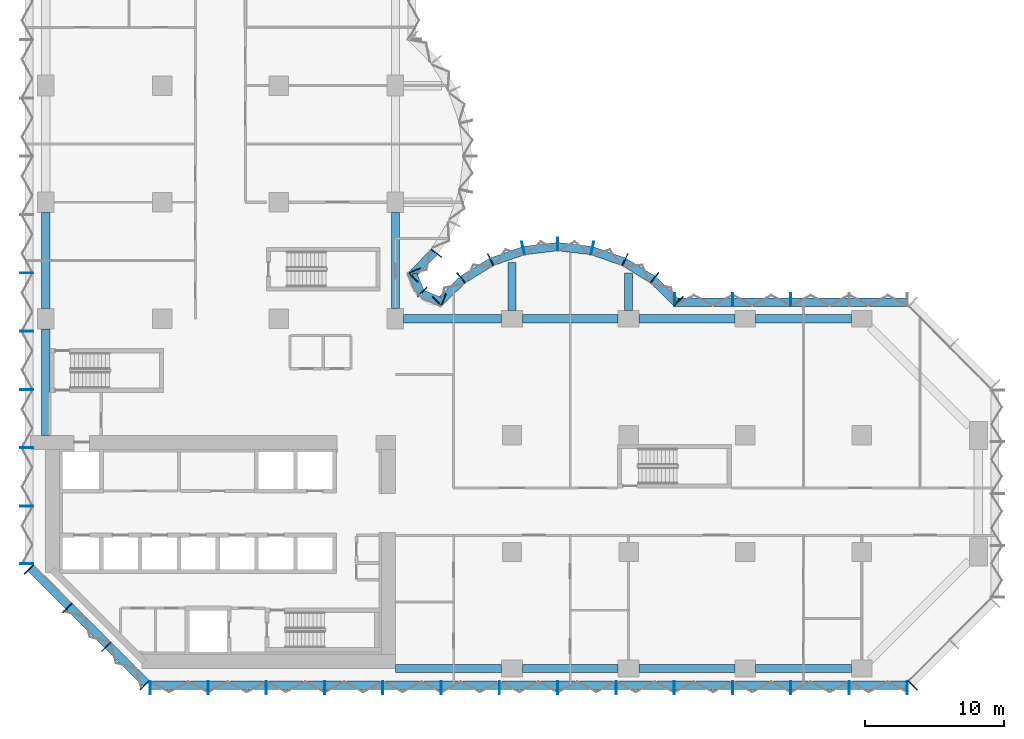
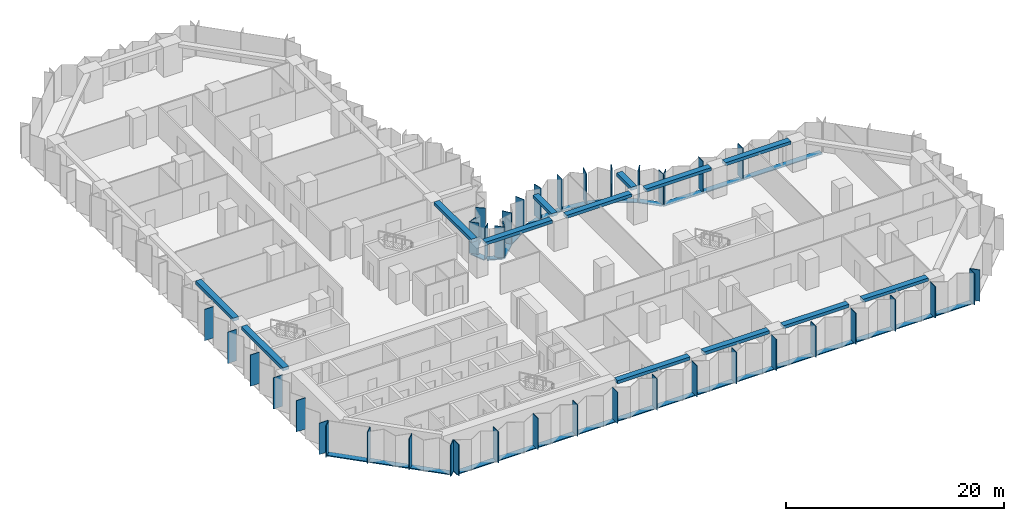
# One storey, part 2 of 15: 56 members, 13 beams, 8 elements without a shape of their own.
"""IFC4 building model written with IfcOpenShell, lengths in metres."""

import ifcopenshell
import ifcopenshell.guid

model = None  # the IFC model being written
_history = None  # IfcOwnerHistory: only IFC2X3 demands one
_inside = {}  # id of a spatial element -> (the spatial element, [elements in it])
_under = {}  # id of a project, library or spatial element -> (it, [spatial elements below it])
_declared = {}  # id of a project -> (the project, [libraries it declares])
_typed = {}  # id of a type object -> (the type object, [elements of that type])
_made_of = {}  # id of a material, layer set ... -> (it, [elements and type objects made of it])


def new_model(schema):
    """Start an empty IFC model of exactly this schema.

    Asked for "IFC4X3", IfcOpenShell would pick the latest addendum, in which some entities
    have other attributes; the version numbers below select the first issue.
    IFC2X3 requires an IfcOwnerHistory on every rooted entity: one is made here for all.
    """
    global model, _history
    if schema == "IFC4X3":
        model = ifcopenshell.file(schema_version=(4, 3, 0, 0))
    else:
        model = ifcopenshell.file(schema=schema)
    _inside.clear()
    _under.clear()
    _declared.clear()
    _typed.clear()
    _made_of.clear()
    _history = None
    if model.schema == "IFC2X3":
        org = make("IfcOrganization", Name="unknown")
        user = make(
            "IfcPersonAndOrganization",
            ThePerson=make("IfcPerson", FamilyName="unknown"),
            TheOrganization=org,
        )
        app = make(
            "IfcApplication",
            ApplicationDeveloper=org,
            Version="unknown",
            ApplicationFullName="unknown",
            ApplicationIdentifier="unknown",
        )
        _history = make(
            "IfcOwnerHistory",
            OwningUser=user,
            OwningApplication=app,
            ChangeAction="ADDED",
            CreationDate=0,
        )
    return model


def make(cls, **values):
    """One entity of the class cls with the attributes given. An attribute that is None is left unset."""
    return model.create_entity(
        cls, **{name: value for name, value in values.items() if value is not None}
    )


def rooted(cls, **values):
    """An entity with a GlobalId (a new one), such as an element, a storey or a relation."""
    return make(cls, GlobalId=ifcopenshell.guid.new(), OwnerHistory=_history, **values)


def si_unit(unit_type, name, prefix=None):
    """IfcSIUnit, for example si_unit("LENGTHUNIT", "METRE", prefix="MILLI")."""
    return make("IfcSIUnit", UnitType=unit_type, Prefix=prefix, Name=name)


def assignment(units):
    """IfcUnitAssignment: the units of a project."""
    return None if units is None else make("IfcUnitAssignment", Units=units)


def point(xyz):
    """IfcCartesianPoint."""
    return None if xyz is None else make("IfcCartesianPoint", Coordinates=xyz)


def direction(xyz):
    """IfcDirection."""
    return None if xyz is None else make("IfcDirection", DirectionRatios=xyz)


def frame(location, z_axis=None, x_axis=None):
    """IfcAxis2Placement3D, a coordinate frame: its origin and axes. An axis left out is left unset."""
    return make(
        "IfcAxis2Placement3D",
        Location=point(location),
        Axis=direction(z_axis),
        RefDirection=direction(x_axis),
    )


def frame_2d(location, x_axis=None):
    """IfcAxis2Placement2D, a coordinate frame in the plane: its origin and x axis."""
    return make(
        "IfcAxis2Placement2D", Location=point(location), RefDirection=direction(x_axis)
    )


def origin():
    """The frame at (0, 0, 0) with its axes left unset."""
    return frame((0.0, 0.0, 0.0))


def origin_2d():
    """The frame at (0, 0) in the plane with its x axis left unset."""
    return frame_2d((0.0, 0.0))


def place(relative_to, where):
    """IfcLocalPlacement: puts the frame where relative to a parent placement (None: the world)."""
    return make(
        "IfcLocalPlacement", PlacementRelTo=relative_to, RelativePlacement=where
    )


def context(
    kind, dimensions, precision=None, world=None, true_north=None, identifier=None
):
    """IfcGeometricRepresentationContext, for example the 3D "Model" context."""
    return make(
        "IfcGeometricRepresentationContext",
        ContextIdentifier=identifier,
        ContextType=kind,
        CoordinateSpaceDimension=dimensions,
        Precision=precision,
        WorldCoordinateSystem=world,
        TrueNorth=true_north,
    )


def subcontext(parent, identifier, kind, view, scale=None):
    """IfcGeometricRepresentationSubContext, for example "Body" below "Model"."""
    return make(
        "IfcGeometricRepresentationSubContext",
        ContextIdentifier=identifier,
        ContextType=kind,
        ParentContext=parent,
        TargetScale=scale,
        TargetView=view,
    )


def project(units=None, contexts=None):
    """IfcProject with its units and contexts."""
    return rooted(
        "IfcProject",
        Name="project",
        RepresentationContexts=contexts,
        UnitsInContext=assignment(units),
    )


def spatial(cls, under=None, at=None, **own):
    """A site, building, storey or space (cls), placed at a placement, below another one or the project."""
    s = rooted(cls, ObjectPlacement=at, **own)
    if under is not None:
        _under.setdefault(under.id(), (under, []))[1].append(s)
    return s


def profile(cls, at=None, kind="AREA", **sizes):
    """A parametric profile (cls). Its sizes go by their IFC names, for example OverallWidth=200.0."""
    return make(cls, ProfileType=kind, Position=at, **sizes)


def rectangle(**sizes):
    """IfcRectangleProfileDef."""
    return profile("IfcRectangleProfileDef", **sizes)


def extrude(swept, where, along, depth):
    """IfcExtrudedAreaSolid: the profile swept, set in the frame where, extruded along a direction by depth."""
    return make(
        "IfcExtrudedAreaSolid",
        SweptArea=swept,
        Position=where,
        ExtrudedDirection=direction(along),
        Depth=depth,
    )


def shape(context_of_items, identifier, shape_type, items):
    """IfcShapeRepresentation: the items that make up one representation, for example the "Body"."""
    return make(
        "IfcShapeRepresentation",
        ContextOfItems=context_of_items,
        RepresentationIdentifier=identifier,
        RepresentationType=shape_type,
        Items=items,
    )


def material(Name=None, Category=None):
    """IfcMaterial."""
    return make("IfcMaterial", Name=Name, Category=Category)


def material_profile(
    of_material, cross_section, Name=None, Category=None, Priority=None
):
    """IfcMaterialProfile: a cross section and its material."""
    return make(
        "IfcMaterialProfile",
        Name=Name,
        Material=of_material,
        Profile=cross_section,
        Priority=Priority,
        Category=Category,
    )


def profile_set(profiles, Name=None, composite=None):
    """IfcMaterialProfileSet."""
    return make(
        "IfcMaterialProfileSet",
        Name=Name,
        MaterialProfiles=profiles,
        CompositeProfile=composite,
    )


def made_of(thing, what):
    """Note that an element or type object is made of a material, layer set ...; save() writes the relation."""
    if what is not None:
        _made_of.setdefault(what.id(), (what, []))[1].append(thing)
    return thing


def type_object(cls, material=None, **own):
    """A type object (cls), such as IfcWallType, which elements share."""
    return made_of(rooted(cls, **own), material)


def element(
    cls,
    number,
    at=None,
    inside=None,
    cuts=None,
    type_object=None,
    material=None,
    context=None,
    identifier="Body",
    shape_type=None,
    held_by="IfcProductDefinitionShape",
    body=None,
    shapes=None,
    **own,
):
    """One element of the class cls, such as IfcWall. Its Tag is "e" and its number.

    at: its placement. inside: the storey or other place that contains it. cuts: it is an
    opening in that element (IfcRelVoidsElement). A single representation is given by context,
    identifier, shape_type and body (its items); several are given by shapes. held_by: the class
    of the entity that holds the representations. save() writes the other relations.
    """
    e = rooted(cls, Tag="e%d" % number, ObjectPlacement=at, **own)
    if body is not None:
        shapes = [shape(context, identifier, shape_type, body)]
    if shapes is not None:
        e.Representation = make(held_by, Representations=shapes)
    if inside is not None:
        _inside.setdefault(inside.id(), (inside, []))[1].append(e)
    if cuts is not None:
        rooted(
            "IfcRelVoidsElement", RelatingBuildingElement=cuts, RelatedOpeningElement=e
        )
    if type_object is not None:
        _typed.setdefault(type_object.id(), (type_object, []))[1].append(e)
    return made_of(e, material)


def aggregate(whole, parts):
    """IfcRelAggregates: a whole, such as a stair, and the parts it consists of."""
    return rooted("IfcRelAggregates", RelatingObject=whole, RelatedObjects=parts)


def save(model, path):
    """Write the relations noted so far, then the file.

    IfcRelAggregates (storeys below a building ...), IfcRelContainedInSpatialStructure (elements
    in a storey), IfcRelDefinesByType, IfcRelAssociatesMaterial and IfcRelDeclares: one each for
    every whole, place, type object, material and project.
    """
    for whole, parts in _under.values():
        aggregate(whole, parts)
    for where, things in _inside.values():
        rooted(
            "IfcRelContainedInSpatialStructure",
            RelatedElements=things,
            RelatingStructure=where,
        )
    for kind, things in _typed.values():
        rooted("IfcRelDefinesByType", RelatedObjects=things, RelatingType=kind)
    for what, things in _made_of.values():
        rooted("IfcRelAssociatesMaterial", RelatedObjects=things, RelatingMaterial=what)
    for by, libraries in _declared.values():
        rooted("IfcRelDeclares", RelatingContext=by, RelatedDefinitions=libraries)
    model.write(path)


model = new_model("IFC4")

# Units and contexts
model_context = context("Model", 3, precision=1e-05, world=origin(), true_north=direction((0.0, 1.0)))
body_context = subcontext(model_context, "Body", "Model", "MODEL_VIEW")
ifc_project = project(units=[si_unit("LENGTHUNIT", "METRE"), si_unit("AREAUNIT", "SQUARE_METRE"), si_unit("VOLUMEUNIT", "CUBIC_METRE"), si_unit("PLANEANGLEUNIT", "RADIAN"), si_unit("MASSUNIT", "GRAM", prefix="KILO")], contexts=[model_context])

# Site, building, storey
site_placement = place(None, origin())
site = spatial("IfcSite", under=ifc_project, at=site_placement, CompositionType="ELEMENT")
building_placement = place(site_placement, origin())
building = spatial("IfcBuilding", under=site, at=building_placement, Name="Brevane Broadcast Tower", CompositionType="ELEMENT")
storey_placement = place(building_placement, frame((0.0, 0.0, 54.5)))
storey = spatial("IfcBuildingStorey", under=building, at=storey_placement, Name="L11", CompositionType="ELEMENT", Elevation=54.5)

# Curtain wall, members
ifc_material_1 = material(Name="Aluminium 6063-T6 bronze anodised", Category="aluminium")
curtain_wall_type = type_object("IfcCurtainWallType", Name="CW-1 curtain wall", PredefinedType="NOTDEFINED", material=ifc_material_1)
curtain_wall_1_placement = place(storey_placement, origin())
curtain_wall_1 = element("IfcCurtainWall", 1, at=curtain_wall_1_placement, inside=storey, type_object=curtain_wall_type, Name="CW-1 typical tilted unit L11 south face", PredefinedType="NOTDEFINED")
ifc_material_profile_1 = material_profile(ifc_material_1, rectangle(XDim=0.949951171875, YDim=0.070068359375, at=origin_2d()), Name="RECT 70x950")
ifc_profile_set_1 = profile_set([ifc_material_profile_1], Name="Aluminium 6063-T6 bronze anodised")
member_type_1 = type_object("IfcMemberType", Name="CW-1 mullion 70x950", PredefinedType="MULLION", material=ifc_profile_set_1)
member_1_placement = place(storey_placement, frame((7.534912109375, -1.375, -0.14990234375), z_axis=(0.0, 0.0, 1.0), x_axis=(0.0, 1.0, 0.0)))
member_1 = element("IfcMember", 2, at=member_1_placement, type_object=member_type_1, Name="CW-1 mullion", PredefinedType="MULLION", context=body_context, shape_type="SweptSolid", body=[
    extrude(rectangle(XDim=0.949951171875, YDim=0.070068359375, at=origin_2d()), origin(), (0.0, 0.0, 1.0), 3.5),
])
member_2_placement = place(storey_placement, frame((11.699951171875, -1.375, -0.14990234375), z_axis=(0.0, 0.0, 1.0), x_axis=(0.0, 1.0, 0.0)))
member_2 = element("IfcMember", 3, at=member_2_placement, type_object=member_type_1, Name="CW-1 mullion", PredefinedType="MULLION", context=body_context, shape_type="SweptSolid", body=[
    extrude(rectangle(XDim=0.949951171875, YDim=0.070068359375, at=origin_2d()), origin(), (0.0, 0.0, 1.0), 3.5),
])
member_3_placement = place(storey_placement, frame((15.89990234375, -1.375, -0.14990234375), z_axis=(0.0, 0.0, 1.0), x_axis=(0.0, 1.0, 0.0)))
member_3 = element("IfcMember", 4, at=member_3_placement, type_object=member_type_1, Name="CW-1 mullion", PredefinedType="MULLION", context=body_context, shape_type="SweptSolid", body=[
    extrude(rectangle(XDim=0.949951171875, YDim=0.070068359375, at=origin_2d()), origin(), (0.0, 0.0, 1.0), 3.5),
])
member_4_placement = place(storey_placement, frame((20.10009765625, -1.375, -0.14990234375), z_axis=(0.0, 0.0, 1.0), x_axis=(0.0, 1.0, 0.0)))
member_4 = element("IfcMember", 5, at=member_4_placement, type_object=member_type_1, Name="CW-1 mullion", PredefinedType="MULLION", context=body_context, shape_type="SweptSolid", body=[
    extrude(rectangle(XDim=0.949951171875, YDim=0.070068359375, at=origin_2d()), origin(), (0.0, 0.0, 1.0), 3.5),
])
member_5_placement = place(storey_placement, frame((24.300048828125, -1.375, -0.14990234375), z_axis=(0.0, 0.0, 1.0), x_axis=(0.0, 1.0, 0.0)))
member_5 = element("IfcMember", 6, at=member_5_placement, type_object=member_type_1, Name="CW-1 mullion", PredefinedType="MULLION", context=body_context, shape_type="SweptSolid", body=[
    extrude(rectangle(XDim=0.949951171875, YDim=0.070068359375, at=origin_2d()), origin(), (0.0, 0.0, 1.0), 3.5),
])
member_6_placement = place(storey_placement, frame((28.5, -1.375, -0.14990234375), z_axis=(0.0, 0.0, 1.0), x_axis=(0.0, 1.0, 0.0)))
member_6 = element("IfcMember", 7, at=member_6_placement, type_object=member_type_1, Name="CW-1 mullion", PredefinedType="MULLION", context=body_context, shape_type="SweptSolid", body=[
    extrude(rectangle(XDim=0.949951171875, YDim=0.070068359375, at=origin_2d()), origin(), (0.0, 0.0, 1.0), 3.5),
])
member_7_placement = place(storey_placement, frame((32.699951171875, -1.375, -0.14990234375), z_axis=(0.0, 0.0, 1.0), x_axis=(0.0, 1.0, 0.0)))
member_7 = element("IfcMember", 8, at=member_7_placement, type_object=member_type_1, Name="CW-1 mullion", PredefinedType="MULLION", context=body_context, shape_type="SweptSolid", body=[
    extrude(rectangle(XDim=0.949951171875, YDim=0.070068359375, at=origin_2d()), origin(), (0.0, 0.0, 1.0), 3.5),
])
member_8_placement = place(storey_placement, frame((36.89990234375, -1.375, -0.14990234375), z_axis=(0.0, 0.0, 1.0), x_axis=(0.0, 1.0, 0.0)))
member_8 = element("IfcMember", 9, at=member_8_placement, type_object=member_type_1, Name="CW-1 mullion", PredefinedType="MULLION", context=body_context, shape_type="SweptSolid", body=[
    extrude(rectangle(XDim=0.949951171875, YDim=0.070068359375, at=origin_2d()), origin(), (0.0, 0.0, 1.0), 3.5),
])
member_9_placement = place(storey_placement, frame((41.10009765625, -1.375, -0.14990234375), z_axis=(0.0, 0.0, 1.0), x_axis=(0.0, 1.0, 0.0)))
member_9 = element("IfcMember", 10, at=member_9_placement, type_object=member_type_1, Name="CW-1 mullion", PredefinedType="MULLION", context=body_context, shape_type="SweptSolid", body=[
    extrude(rectangle(XDim=0.949951171875, YDim=0.070068359375, at=origin_2d()), origin(), (0.0, 0.0, 1.0), 3.5),
])
member_10_placement = place(storey_placement, frame((45.300048828125, -1.375, -0.14990234375), z_axis=(0.0, 0.0, 1.0), x_axis=(0.0, 1.0, 0.0)))
member_10 = element("IfcMember", 11, at=member_10_placement, type_object=member_type_1, Name="CW-1 mullion", PredefinedType="MULLION", context=body_context, shape_type="SweptSolid", body=[
    extrude(rectangle(XDim=0.949951171875, YDim=0.070068359375, at=origin_2d()), origin(), (0.0, 0.0, 1.0), 3.5),
])
member_11_placement = place(storey_placement, frame((49.5, -1.375, -0.14990234375), z_axis=(0.0, 0.0, 1.0), x_axis=(0.0, 1.0, 0.0)))
member_11 = element("IfcMember", 12, at=member_11_placement, type_object=member_type_1, Name="CW-1 mullion", PredefinedType="MULLION", context=body_context, shape_type="SweptSolid", body=[
    extrude(rectangle(XDim=0.949951171875, YDim=0.070068359375, at=origin_2d()), origin(), (0.0, 0.0, 1.0), 3.5),
])
member_12_placement = place(storey_placement, frame((53.699951171875, -1.375, -0.14990234375), z_axis=(0.0, 0.0, 1.0), x_axis=(0.0, 1.0, 0.0)))
member_12 = element("IfcMember", 13, at=member_12_placement, type_object=member_type_1, Name="CW-1 mullion", PredefinedType="MULLION", context=body_context, shape_type="SweptSolid", body=[
    extrude(rectangle(XDim=0.949951171875, YDim=0.070068359375, at=origin_2d()), origin(), (0.0, 0.0, 1.0), 3.5),
])
member_13_placement = place(storey_placement, frame((57.89990234375, -1.375, -0.14990234375), z_axis=(0.0, 0.0, 1.0), x_axis=(0.0, 1.0, 0.0)))
member_13 = element("IfcMember", 14, at=member_13_placement, type_object=member_type_1, Name="CW-1 mullion", PredefinedType="MULLION", context=body_context, shape_type="SweptSolid", body=[
    extrude(rectangle(XDim=0.949951171875, YDim=0.070068359375, at=origin_2d()), origin(), (0.0, 0.0, 1.0), 3.5),
])
member_14_placement = place(storey_placement, frame((62.06494140625, -1.375, -0.14990234375), z_axis=(0.0, 0.0, 1.0), x_axis=(0.0, 1.0, 0.0)))
member_14 = element("IfcMember", 15, at=member_14_placement, type_object=member_type_1, Name="CW-1 mullion", PredefinedType="MULLION", context=body_context, shape_type="SweptSolid", body=[
    extrude(rectangle(XDim=0.949951171875, YDim=0.070068359375, at=origin_2d()), origin(), (0.0, 0.0, 1.0), 3.5),
])

# Curtain wall, member
curtain_wall_2_placement = place(storey_placement, origin())
curtain_wall_2 = element("IfcCurtainWall", 16, at=curtain_wall_2_placement, inside=storey, type_object=curtain_wall_type, Name="CW-1 typical tilted unit L11 south-east chamfer", PredefinedType="NOTDEFINED")
member_15_placement = place(storey_placement, frame((62.460693359375, -1.211181640625, -0.14990234375), z_axis=(0.0, 0.0, 1.0), x_axis=(-0.707106781187, 0.707106781187, 0.0)))
member_15 = element("IfcMember", 17, at=member_15_placement, type_object=member_type_1, Name="CW-1 mullion", PredefinedType="MULLION", context=body_context, shape_type="SweptSolid", body=[
    extrude(rectangle(XDim=0.949951171875, YDim=0.070068359375, at=origin_2d()), origin(), (0.0, 0.0, 1.0), 3.5),
])
aggregate(curtain_wall_2, [member_15])

# Curtain wall, members
curtain_wall_3_placement = place(storey_placement, origin())
curtain_wall_3 = element("IfcCurtainWall", 18, at=curtain_wall_3_placement, inside=storey, type_object=curtain_wall_type, Name="CW-1 typical tilted unit L11 east arm north face", PredefinedType="NOTDEFINED")
member_16_placement = place(storey_placement, frame((53.699951171875, 26.574951171875, -0.14990234375), z_axis=(0.0, 0.0, 1.0), x_axis=(0.0, -1.0, 0.0)))
member_16 = element("IfcMember", 19, at=member_16_placement, type_object=member_type_1, Name="CW-1 mullion", PredefinedType="MULLION", context=body_context, shape_type="SweptSolid", body=[
    extrude(rectangle(XDim=0.949951171875, YDim=0.070068359375, at=origin_2d()), origin(), (0.0, 0.0, 1.0), 3.5),
])
member_17_placement = place(storey_placement, frame((49.5, 26.574951171875, -0.14990234375), z_axis=(0.0, 0.0, 1.0), x_axis=(0.0, -1.0, 0.0)))
member_17 = element("IfcMember", 20, at=member_17_placement, type_object=member_type_1, Name="CW-1 mullion", PredefinedType="MULLION", context=body_context, shape_type="SweptSolid", body=[
    extrude(rectangle(XDim=0.949951171875, YDim=0.070068359375, at=origin_2d()), origin(), (0.0, 0.0, 1.0), 3.5),
])
member_18_placement = place(storey_placement, frame((45.3349609375, 26.574951171875, -0.14990234375), z_axis=(0.0, 0.0, 1.0), x_axis=(0.0, -1.0, 0.0)))
member_18 = element("IfcMember", 21, at=member_18_placement, type_object=member_type_1, Name="CW-1 mullion", PredefinedType="MULLION", context=body_context, shape_type="SweptSolid", body=[
    extrude(rectangle(XDim=0.949951171875, YDim=0.070068359375, at=origin_2d()), origin(), (0.0, 0.0, 1.0), 3.5),
])

curtain_wall_4_placement = place(storey_placement, origin())
curtain_wall_4 = element("IfcCurtainWall", 22, at=curtain_wall_4_placement, inside=storey, type_object=curtain_wall_type, Name="CW-1 typical tilted unit L11 east bow", PredefinedType="NOTDEFINED")
member_19_placement = place(storey_placement, frame((45.60595703125, 26.465087890625, -0.14990234375), z_axis=(0.0, 0.0, 1.0), x_axis=(-0.696811941702, -0.717253872699, 0.0)))
member_19 = element("IfcMember", 23, at=member_19_placement, type_object=member_type_1, Name="CW-1 mullion", PredefinedType="MULLION", context=body_context, shape_type="SweptSolid", body=[
    extrude(rectangle(XDim=0.949951171875, YDim=0.070068359375, at=origin_2d()), origin(), (0.0, 0.0, 1.0), 3.5),
])
member_20_placement = place(storey_placement, frame((43.8720703125, 28.1455078125, -0.14990234375), z_axis=(0.0, 0.0, 1.0), x_axis=(-0.614769738617, -0.788706642853, 0.0)))
member_20 = element("IfcMember", 24, at=member_20_placement, type_object=member_type_1, Name="CW-1 mullion", PredefinedType="MULLION", context=body_context, shape_type="SweptSolid", body=[
    extrude(rectangle(XDim=0.949951171875, YDim=0.070068359375, at=origin_2d()), origin(), (0.0, 0.0, 1.0), 3.5),
])
member_21_placement = place(storey_placement, frame((41.746826171875, 29.4580078125, -0.14990234375), z_axis=(0.0, 0.0, 1.0), x_axis=(-0.429933601163, -0.902860508933, 0.0)))
member_21 = element("IfcMember", 25, at=member_21_placement, type_object=member_type_1, Name="CW-1 mullion", PredefinedType="MULLION", context=body_context, shape_type="SweptSolid", body=[
    extrude(rectangle(XDim=0.949951171875, YDim=0.070068359375, at=origin_2d()), origin(), (0.0, 0.0, 1.0), 3.5),
])
member_22_placement = place(storey_placement, frame((39.38818359375, 30.28076171875, -0.14990234375), z_axis=(0.0, 0.0, 1.0), x_axis=(-0.224806482215, -0.974403430594, 0.0)))
member_22 = element("IfcMember", 26, at=member_22_placement, type_object=member_type_1, Name="CW-1 mullion", PredefinedType="MULLION", context=body_context, shape_type="SweptSolid", body=[
    extrude(rectangle(XDim=0.949951171875, YDim=0.070068359375, at=origin_2d()), origin(), (0.0, 0.0, 1.0), 3.5),
])
member_23_placement = place(storey_placement, frame((36.89990234375, 30.574951171875, -0.14990234375), z_axis=(0.0, 0.0, 1.0), x_axis=(0.0, -1.0, 0.0)))
member_23 = element("IfcMember", 27, at=member_23_placement, type_object=member_type_1, Name="CW-1 mullion", PredefinedType="MULLION", context=body_context, shape_type="SweptSolid", body=[
    extrude(rectangle(XDim=0.949951171875, YDim=0.070068359375, at=origin_2d()), origin(), (0.0, 0.0, 1.0), 3.5),
])
member_24_placement = place(storey_placement, frame((34.411865234375, 30.28076171875, -0.14990234375), z_axis=(0.0, 0.0, 1.0), x_axis=(0.224806482215, -0.974403430594, 0.0)))
member_24 = element("IfcMember", 28, at=member_24_placement, type_object=member_type_1, Name="CW-1 mullion", PredefinedType="MULLION", context=body_context, shape_type="SweptSolid", body=[
    extrude(rectangle(XDim=0.949951171875, YDim=0.070068359375, at=origin_2d()), origin(), (0.0, 0.0, 1.0), 3.5),
])
member_25_placement = place(storey_placement, frame((32.05322265625, 29.4580078125, -0.14990234375), z_axis=(0.0, 0.0, 1.0), x_axis=(0.429933601163, -0.902860508933, 0.0)))
member_25 = element("IfcMember", 29, at=member_25_placement, type_object=member_type_1, Name="CW-1 mullion", PredefinedType="MULLION", context=body_context, shape_type="SweptSolid", body=[
    extrude(rectangle(XDim=0.949951171875, YDim=0.070068359375, at=origin_2d()), origin(), (0.0, 0.0, 1.0), 3.5),
])
member_26_placement = place(storey_placement, frame((29.927978515625, 28.1455078125, -0.14990234375), z_axis=(0.0, 0.0, 1.0), x_axis=(0.614769738617, -0.788706642853, 0.0)))
member_26 = element("IfcMember", 30, at=member_26_placement, type_object=member_type_1, Name="CW-1 mullion", PredefinedType="MULLION", context=body_context, shape_type="SweptSolid", body=[
    extrude(rectangle(XDim=0.949951171875, YDim=0.070068359375, at=origin_2d()), origin(), (0.0, 0.0, 1.0), 3.5),
])
member_27_placement = place(storey_placement, frame((28.194091796875, 26.465087890625, -0.14990234375), z_axis=(0.0, 0.0, 1.0), x_axis=(0.696811941702, -0.717253872699, 0.0)))
member_27 = element("IfcMember", 31, at=member_27_placement, type_object=member_type_1, Name="CW-1 mullion", PredefinedType="MULLION", context=body_context, shape_type="SweptSolid", body=[
    extrude(rectangle(XDim=0.949951171875, YDim=0.070068359375, at=origin_2d()), origin(), (0.0, 0.0, 1.0), 3.5),
])

curtain_wall_5_placement = place(storey_placement, origin())
curtain_wall_5 = element("IfcCurtainWall", 32, at=curtain_wall_5_placement, inside=storey, type_object=curtain_wall_type, Name="CW-1 typical tilted unit L11 inner corner", PredefinedType="NOTDEFINED")
member_28_placement = place(storey_placement, frame((28.6494140625, 26.55224609375, -0.14990234375), z_axis=(0.0, 0.0, 1.0), x_axis=(-0.382683612978, -0.923879457699, 0.0)))
member_28 = element("IfcMember", 33, at=member_28_placement, type_object=member_type_1, Name="CW-1 mullion", PredefinedType="MULLION", context=body_context, shape_type="SweptSolid", body=[
    extrude(rectangle(XDim=0.949951171875, YDim=0.070068359375, at=origin_2d()), origin(), (0.0, 0.0, 1.0), 3.5),
])
member_29_placement = place(storey_placement, frame((27.138916015625, 27.138916015625, -0.14990234375), z_axis=(0.0, 0.0, 1.0), x_axis=(-0.707106781187, -0.707106781187, 0.0)))
member_29 = element("IfcMember", 34, at=member_29_placement, type_object=member_type_1, Name="CW-1 mullion", PredefinedType="MULLION", context=body_context, shape_type="SweptSolid", body=[
    extrude(rectangle(XDim=0.949951171875, YDim=0.070068359375, at=origin_2d()), origin(), (0.0, 0.0, 1.0), 3.5),
])
member_30_placement = place(storey_placement, frame((26.55224609375, 28.6494140625, -0.14990234375), z_axis=(0.0, 0.0, 1.0), x_axis=(-0.923879457699, -0.382683612978, 0.0)))
member_30 = element("IfcMember", 35, at=member_30_placement, type_object=member_type_1, Name="CW-1 mullion", PredefinedType="MULLION", context=body_context, shape_type="SweptSolid", body=[
    extrude(rectangle(XDim=0.949951171875, YDim=0.070068359375, at=origin_2d()), origin(), (0.0, 0.0, 1.0), 3.5),
])

curtain_wall_6_placement = place(storey_placement, origin())
curtain_wall_6 = element("IfcCurtainWall", 36, at=curtain_wall_6_placement, inside=storey, type_object=curtain_wall_type, Name="CW-1 typical tilted unit L11 north bow", PredefinedType="NOTDEFINED")
member_31_placement = place(storey_placement, frame((26.465087890625, 28.194091796875, -0.14990234375), z_axis=(0.0, 0.0, 1.0), x_axis=(-0.717253872699, 0.696811941702, 0.0)))
member_31 = element("IfcMember", 37, at=member_31_placement, type_object=member_type_1, Name="CW-1 mullion", PredefinedType="MULLION", context=body_context, shape_type="SweptSolid", body=[
    extrude(rectangle(XDim=0.949951171875, YDim=0.070068359375, at=origin_2d()), origin(), (0.0, 0.0, 1.0), 3.5),
])
member_32_placement = place(storey_placement, frame((28.1455078125, 29.927978515625, -0.14990234375), z_axis=(0.0, 0.0, 1.0), x_axis=(-0.788706642853, 0.614769738617, 0.0)))
member_32 = element("IfcMember", 38, at=member_32_placement, type_object=member_type_1, Name="CW-1 mullion", PredefinedType="MULLION", context=body_context, shape_type="SweptSolid", body=[
    extrude(rectangle(XDim=0.949951171875, YDim=0.070068359375, at=origin_2d()), origin(), (0.0, 0.0, 1.0), 3.5),
])

curtain_wall_7_placement = place(storey_placement, origin())
curtain_wall_7 = element("IfcCurtainWall", 39, at=curtain_wall_7_placement, inside=storey, type_object=curtain_wall_type, Name="CW-1 typical tilted unit L11 west face", PredefinedType="NOTDEFINED")
member_33_placement = place(storey_placement, frame((-1.375, 28.5, -0.14990234375), z_axis=(0.0, 0.0, 1.0), x_axis=(1.0, 0.0, 0.0)))
member_33 = element("IfcMember", 40, at=member_33_placement, type_object=member_type_1, Name="CW-1 mullion", PredefinedType="MULLION", context=body_context, shape_type="SweptSolid", body=[
    extrude(rectangle(XDim=0.949951171875, YDim=0.070068359375, at=origin_2d()), origin(), (0.0, 0.0, 1.0), 3.5),
])
member_34_placement = place(storey_placement, frame((-1.375, 24.300048828125, -0.14990234375), z_axis=(0.0, 0.0, 1.0), x_axis=(1.0, 0.0, 0.0)))
member_34 = element("IfcMember", 41, at=member_34_placement, type_object=member_type_1, Name="CW-1 mullion", PredefinedType="MULLION", context=body_context, shape_type="SweptSolid", body=[
    extrude(rectangle(XDim=0.949951171875, YDim=0.070068359375, at=origin_2d()), origin(), (0.0, 0.0, 1.0), 3.5),
])
member_35_placement = place(storey_placement, frame((-1.375, 20.10009765625, -0.14990234375), z_axis=(0.0, 0.0, 1.0), x_axis=(1.0, 0.0, 0.0)))
member_35 = element("IfcMember", 42, at=member_35_placement, type_object=member_type_1, Name="CW-1 mullion", PredefinedType="MULLION", context=body_context, shape_type="SweptSolid", body=[
    extrude(rectangle(XDim=0.949951171875, YDim=0.070068359375, at=origin_2d()), origin(), (0.0, 0.0, 1.0), 3.5),
])
member_36_placement = place(storey_placement, frame((-1.375, 15.89990234375, -0.14990234375), z_axis=(0.0, 0.0, 1.0), x_axis=(1.0, 0.0, 0.0)))
member_36 = element("IfcMember", 43, at=member_36_placement, type_object=member_type_1, Name="CW-1 mullion", PredefinedType="MULLION", context=body_context, shape_type="SweptSolid", body=[
    extrude(rectangle(XDim=0.949951171875, YDim=0.070068359375, at=origin_2d()), origin(), (0.0, 0.0, 1.0), 3.5),
])
member_37_placement = place(storey_placement, frame((-1.375, 11.699951171875, -0.14990234375), z_axis=(0.0, 0.0, 1.0), x_axis=(1.0, 0.0, 0.0)))
member_37 = element("IfcMember", 44, at=member_37_placement, type_object=member_type_1, Name="CW-1 mullion", PredefinedType="MULLION", context=body_context, shape_type="SweptSolid", body=[
    extrude(rectangle(XDim=0.949951171875, YDim=0.070068359375, at=origin_2d()), origin(), (0.0, 0.0, 1.0), 3.5),
])
member_38_placement = place(storey_placement, frame((-1.375, 7.534912109375, -0.14990234375), z_axis=(0.0, 0.0, 1.0), x_axis=(1.0, 0.0, 0.0)))
member_38 = element("IfcMember", 45, at=member_38_placement, type_object=member_type_1, Name="CW-1 mullion", PredefinedType="MULLION", context=body_context, shape_type="SweptSolid", body=[
    extrude(rectangle(XDim=0.949951171875, YDim=0.070068359375, at=origin_2d()), origin(), (0.0, 0.0, 1.0), 3.5),
])
aggregate(curtain_wall_7, [member_33, member_34, member_35, member_36, member_37, member_38])

curtain_wall_8_placement = place(storey_placement, origin())
curtain_wall_8 = element("IfcCurtainWall", 46, at=curtain_wall_8_placement, inside=storey, type_object=curtain_wall_type, Name="CW-1 typical tilted unit L11 south-west chamfer", PredefinedType="NOTDEFINED")
member_39_placement = place(storey_placement, frame((-1.211181640625, 7.139404296875, -0.14990234375), z_axis=(0.0, 0.0, 1.0), x_axis=(0.707106781187, 0.707106781187, 0.0)))
member_39 = element("IfcMember", 47, at=member_39_placement, type_object=member_type_1, Name="CW-1 mullion", PredefinedType="MULLION", context=body_context, shape_type="SweptSolid", body=[
    extrude(rectangle(XDim=0.949951171875, YDim=0.070068359375, at=origin_2d()), origin(), (0.0, 0.0, 1.0), 3.5),
])
member_40_placement = place(storey_placement, frame((1.564208984375, 4.364013671875, -0.14990234375), z_axis=(0.0, 0.0, 1.0), x_axis=(0.707106781187, 0.707106781187, 0.0)))
member_40 = element("IfcMember", 48, at=member_40_placement, type_object=member_type_1, Name="CW-1 mullion", PredefinedType="MULLION", context=body_context, shape_type="SweptSolid", body=[
    extrude(rectangle(XDim=0.949951171875, YDim=0.070068359375, at=origin_2d()), origin(), (0.0, 0.0, 1.0), 3.5),
])
member_41_placement = place(storey_placement, frame((4.364013671875, 1.564208984375, -0.14990234375), z_axis=(0.0, 0.0, 1.0), x_axis=(0.707106781187, 0.707106781187, 0.0)))
member_41 = element("IfcMember", 49, at=member_41_placement, type_object=member_type_1, Name="CW-1 mullion", PredefinedType="MULLION", context=body_context, shape_type="SweptSolid", body=[
    extrude(rectangle(XDim=0.949951171875, YDim=0.070068359375, at=origin_2d()), origin(), (0.0, 0.0, 1.0), 3.5),
])
member_42_placement = place(storey_placement, frame((7.139404296875, -1.211181640625, -0.14990234375), z_axis=(0.0, 0.0, 1.0), x_axis=(0.707106781187, 0.707106781187, 0.0)))
member_42 = element("IfcMember", 50, at=member_42_placement, type_object=member_type_1, Name="CW-1 mullion", PredefinedType="MULLION", context=body_context, shape_type="SweptSolid", body=[
    extrude(rectangle(XDim=0.949951171875, YDim=0.070068359375, at=origin_2d()), origin(), (0.0, 0.0, 1.0), 3.5),
])

# Member
ifc_material_profile_2 = material_profile(ifc_material_1, rectangle(XDim=0.60009765625, YDim=0.10009765625, at=origin_2d()), Name="RECT 100x600")
ifc_profile_set_2 = profile_set([ifc_material_profile_2], Name="Aluminium 6063-T6 bronze anodised")
member_type_2 = type_object("IfcMemberType", Name="CW-1 transom 100x600", PredefinedType="USERDEFINED", material=ifc_profile_set_2)
member_43_placement = place(storey_placement, frame((7.5, -1.199951171875, -0.199951171875), z_axis=(1.0, 0.0, 0.0), x_axis=(0.0, 1.0, 0.0)))
member_43 = element("IfcMember", 51, at=member_43_placement, type_object=member_type_2, Name="CW-1 transom", ObjectType="TRANSOM", PredefinedType="USERDEFINED", context=body_context, shape_type="SweptSolid", body=[
    extrude(rectangle(XDim=0.60009765625, YDim=0.10009765625, at=origin_2d()), origin(), (0.0, 0.0, 1.0), 54.60009765625),
])

aggregate(curtain_wall_1, [member_1, member_2, member_3, member_4, member_5, member_6, member_7, member_8, member_9, member_10, member_11, member_12, member_13, member_14, member_43])

member_44_placement = place(storey_placement, frame((62.10009765625, 26.39990234375, -0.199951171875), z_axis=(-1.0, 0.0, 0.0), x_axis=(0.0, -1.0, 0.0)))
member_44 = element("IfcMember", 52, at=member_44_placement, type_object=member_type_2, Name="CW-1 transom", ObjectType="TRANSOM", PredefinedType="USERDEFINED", context=body_context, shape_type="SweptSolid", body=[
    extrude(rectangle(XDim=0.60009765625, YDim=0.10009765625, at=origin_2d()), origin(), (0.0, 0.0, 1.0), 16.800048828125),
])

aggregate(curtain_wall_3, [member_16, member_17, member_18, member_44])

member_45_placement = place(storey_placement, frame((45.412841796875, 26.407958984375, -0.199951171875), z_axis=(-0.71724215871, 0.696823999134, 0.0), x_axis=(-0.696823999134, -0.71724215871, 0.0)))
member_45 = element("IfcMember", 53, at=member_45_placement, type_object=member_type_2, Name="CW-1 transom", ObjectType="TRANSOM", PredefinedType="USERDEFINED", context=body_context, shape_type="SweptSolid", body=[
    extrude(rectangle(XDim=0.60009765625, YDim=0.10009765625, at=origin_2d()), origin(), (0.0, 0.0, 1.0), 2.247802734375),
])

member_46_placement = place(storey_placement, frame((43.7421875, 28.023193359375, -0.199951171875), z_axis=(-0.850810063131, 0.525473345162, 0.0), x_axis=(-0.525473345162, -0.850810063131, 0.0)))
member_46 = element("IfcMember", 54, at=member_46_placement, type_object=member_type_2, Name="CW-1 transom", ObjectType="TRANSOM", PredefinedType="USERDEFINED", context=body_context, shape_type="SweptSolid", body=[
    extrude(rectangle(XDim=0.60009765625, YDim=0.10009765625, at=origin_2d()), origin(), (0.0, 0.0, 1.0), 2.39453125),
])

member_47_placement = place(storey_placement, frame((41.63623046875, 29.314208984375, -0.199951171875), z_axis=(-0.944197969542, 0.329378497041, 0.0), x_axis=(-0.329378497041, -0.944197969542, 0.0)))
member_47 = element("IfcMember", 55, at=member_47_placement, type_object=member_type_2, Name="CW-1 transom", ObjectType="TRANSOM", PredefinedType="USERDEFINED", context=body_context, shape_type="SweptSolid", body=[
    extrude(rectangle(XDim=0.60009765625, YDim=0.10009765625, at=origin_2d()), origin(), (0.0, 0.0, 1.0), 2.394775390625),
])

member_48_placement = place(storey_placement, frame((39.30029296875, 30.117431640625, -0.199951171875), z_axis=(-0.993062061831, 0.117591417, 0.0), x_axis=(-0.117591417, -0.993062061831, 0.0)))
member_48 = element("IfcMember", 56, at=member_48_placement, type_object=member_type_2, Name="CW-1 transom", ObjectType="TRANSOM", PredefinedType="USERDEFINED", context=body_context, shape_type="SweptSolid", body=[
    extrude(rectangle(XDim=0.60009765625, YDim=0.10009765625, at=origin_2d()), origin(), (0.0, 0.0, 1.0), 2.39794921875),
])

member_49_placement = place(storey_placement, frame((36.880859375, 30.3994140625, -0.199951171875), z_axis=(-0.993060653805, -0.117603307202, 0.0), x_axis=(0.117603307202, -0.993060653805, 0.0)))
member_49 = element("IfcMember", 57, at=member_49_placement, type_object=member_type_2, Name="CW-1 transom", ObjectType="TRANSOM", PredefinedType="USERDEFINED", context=body_context, shape_type="SweptSolid", body=[
    extrude(rectangle(XDim=0.60009765625, YDim=0.10009765625, at=origin_2d()), origin(), (0.0, 0.0, 1.0), 2.397705078125),
])

member_50_placement = place(storey_placement, frame((34.425048828125, 30.10302734375, -0.199951171875), z_axis=(-0.944197969542, -0.329378497041, 0.0), x_axis=(0.329378497041, -0.944197969542, 0.0)))
member_50 = element("IfcMember", 58, at=member_50_placement, type_object=member_type_2, Name="CW-1 transom", ObjectType="TRANSOM", PredefinedType="USERDEFINED", context=body_context, shape_type="SweptSolid", body=[
    extrude(rectangle(XDim=0.60009765625, YDim=0.10009765625, at=origin_2d()), origin(), (0.0, 0.0, 1.0), 2.394775390625),
])

member_51_placement = place(storey_placement, frame((32.09521484375, 29.281494140625, -0.199951171875), z_axis=(-0.850838211365, -0.525427766759, 0.0), x_axis=(0.525427766759, -0.850838211365, 0.0)))
member_51 = element("IfcMember", 59, at=member_51_placement, type_object=member_type_2, Name="CW-1 transom", ObjectType="TRANSOM", PredefinedType="USERDEFINED", context=body_context, shape_type="SweptSolid", body=[
    extrude(rectangle(XDim=0.60009765625, YDim=0.10009765625, at=origin_2d()), origin(), (0.0, 0.0, 1.0), 2.394775390625),
])

member_52_placement = place(storey_placement, frame((29.99951171875, 27.974365234375, -0.199951171875), z_axis=(-0.71724215871, -0.696823999134, 0.0), x_axis=(0.696823999134, -0.71724215871, 0.0)))
member_52 = element("IfcMember", 60, at=member_52_placement, type_object=member_type_2, Name="CW-1 transom", ObjectType="TRANSOM", PredefinedType="USERDEFINED", context=body_context, shape_type="SweptSolid", body=[
    extrude(rectangle(XDim=0.60009765625, YDim=0.10009765625, at=origin_2d()), origin(), (0.0, 0.0, 1.0), 2.247802734375),
])

aggregate(curtain_wall_4, [member_19, member_20, member_21, member_22, member_23, member_24, member_25, member_26, member_27, member_45, member_46, member_47, member_48, member_49, member_50, member_51, member_52])

member_53_placement = place(storey_placement, frame((28.528076171875, 26.40673828125, -0.199951171875), z_axis=(-0.923883243627, 0.382674472816, 0.0), x_axis=(-0.382674472816, -0.923883243627, 0.0)))
member_53 = element("IfcMember", 61, at=member_53_placement, type_object=member_type_2, Name="CW-1 transom", ObjectType="TRANSOM", PredefinedType="USERDEFINED", context=body_context, shape_type="SweptSolid", body=[
    extrude(rectangle(XDim=0.60009765625, YDim=0.10009765625, at=origin_2d()), origin(), (0.0, 0.0, 1.0), 1.536865234375),
])

member_54_placement = place(storey_placement, frame((27.039794921875, 27.0, -0.199951171875), z_axis=(-0.382674472816, 0.923883243627, 0.0), x_axis=(-0.923883243627, -0.382674472816, 0.0)))
member_54 = element("IfcMember", 62, at=member_54_placement, type_object=member_type_2, Name="CW-1 transom", ObjectType="TRANSOM", PredefinedType="USERDEFINED", context=body_context, shape_type="SweptSolid", body=[
    extrude(rectangle(XDim=0.60009765625, YDim=0.10009765625, at=origin_2d()), origin(), (0.0, 0.0, 1.0), 1.536865234375),
])

aggregate(curtain_wall_5, [member_28, member_29, member_30, member_53, member_54])

member_55_placement = place(storey_placement, frame((26.407958984375, 28.38720703125, -0.199951171875), z_axis=(0.696823999134, 0.71724215871, 0.0), x_axis=(-0.71724215871, 0.696823999134, 0.0)))
member_55 = element("IfcMember", 63, at=member_55_placement, type_object=member_type_2, Name="CW-1 transom", ObjectType="TRANSOM", PredefinedType="USERDEFINED", context=body_context, shape_type="SweptSolid", body=[
    extrude(rectangle(XDim=0.60009765625, YDim=0.10009765625, at=origin_2d()), origin(), (0.0, 0.0, 1.0), 2.247802734375),
])

aggregate(curtain_wall_6, [member_31, member_32, member_55])

member_56_placement = place(storey_placement, frame((-1.112060546875, 7.287841796875, -0.199951171875), z_axis=(0.707106781187, -0.707106781187, 0.0), x_axis=(0.707106781187, 0.707106781187, 0.0)))
member_56 = element("IfcMember", 64, at=member_56_placement, type_object=member_type_2, Name="CW-1 transom", ObjectType="TRANSOM", PredefinedType="USERDEFINED", context=body_context, shape_type="SweptSolid", body=[
    extrude(rectangle(XDim=0.60009765625, YDim=0.10009765625, at=origin_2d()), origin(), (0.0, 0.0, 1.0), 11.879150390625),
])

aggregate(curtain_wall_8, [member_39, member_40, member_41, member_42, member_56])

# Beams
ifc_material_2 = material(Name="Concrete C40/50", Category="concrete")
ifc_material_profile_3 = material_profile(ifc_material_2, rectangle(XDim=0.60009765625, YDim=0.35009765625, at=origin_2d()), Name="RC 600x350")
ifc_profile_set_3 = profile_set([ifc_material_profile_3], Name="Concrete C40/50")
beam_type_1 = type_object("IfcBeamType", Name="RC BRACKET BEAM 600x350 C40/50", PredefinedType="BEAM", material=ifc_profile_set_3)
beam_1_placement = place(storey_placement, frame((33.60009765625, 25.800048828125, 3.175048828125), z_axis=(0.0, 1.0, 0.0), x_axis=(-1.0, 0.0, 0.0)))
element("IfcBeam", 65, at=beam_1_placement, inside=storey, type_object=beam_type_1, Name="EB2 L11-3", PredefinedType="BEAM", context=body_context, shape_type="SweptSolid", body=[
    extrude(rectangle(XDim=0.60009765625, YDim=0.35009765625, at=origin_2d()), origin(), (0.0, 0.0, 1.0), 3.4619140625),
])
beam_2_placement = place(storey_placement, frame((42.0, 25.800048828125, 3.175048828125), z_axis=(0.0, 1.0, 0.0), x_axis=(-1.0, 0.0, 0.0)))
element("IfcBeam", 66, at=beam_2_placement, inside=storey, type_object=beam_type_1, Name="EB2 L11-4", PredefinedType="BEAM", context=body_context, shape_type="SweptSolid", body=[
    extrude(rectangle(XDim=0.60009765625, YDim=0.35009765625, at=origin_2d()), origin(), (0.0, 0.0, 1.0), 2.71142578125),
])
ifc_material_profile_4 = material_profile(ifc_material_2, rectangle(XDim=0.60009765625, YDim=0.35009765625, at=origin_2d()), Name="RC 600x350")
ifc_profile_set_4 = profile_set([ifc_material_profile_4], Name="Concrete C40/50")
beam_type_2 = type_object("IfcBeamType", Name="RC SPANDREL BEAM 600x350 C40/50", PredefinedType="SPANDREL", material=ifc_profile_set_4)
beam_3_placement = place(storey_placement, frame((25.199951171875, 0.0, 3.175048828125), z_axis=(1.0, 0.0, 0.0), x_axis=(0.0, 1.0, 0.0)))
element("IfcBeam", 67, at=beam_3_placement, inside=storey, type_object=beam_type_2, Name="EB1 L11-1", PredefinedType="SPANDREL", context=body_context, shape_type="SweptSolid", body=[
    extrude(rectangle(XDim=0.60009765625, YDim=0.35009765625, at=origin_2d()), origin(), (0.0, 0.0, 1.0), 7.650146484375),
])
for number, where, z_axis, x_axis, name in (
    (68, (34.35009765625, 0.0, 3.175048828125), (1.0, 0.0, 0.0), (0.0, 1.0, 0.0), "EB1 L11-2"),
    (69, (42.75, 0.0, 3.175048828125), (1.0, 0.0, 0.0), (0.0, 1.0, 0.0), "EB1 L11-3"),
):
    element("IfcBeam", number, at=place(storey_placement, frame(where, z_axis=z_axis, x_axis=x_axis)), inside=storey, type_object=beam_type_2, Name=name, PredefinedType="SPANDREL", context=body_context, shape_type="SweptSolid", body=[
        extrude(rectangle(XDim=0.60009765625, YDim=0.35009765625, at=origin_2d()), origin(), (0.0, 0.0, 1.0), 6.89990234375),
    ])
for number, where, z_axis, x_axis, name in (
    (70, (51.14990234375, 0.0, 3.175048828125), (1.0, 0.0, 0.0), (0.0, 1.0, 0.0), "EB1 L11-4"),
    (71, (58.050048828125, 25.199951171875, 3.175048828125), (-1.0, 0.0, 0.0), (0.0, -1.0, 0.0), "EB1 L11-8"),
):
    element("IfcBeam", number, at=place(storey_placement, frame(where, z_axis=z_axis, x_axis=x_axis)), inside=storey, type_object=beam_type_2, Name=name, PredefinedType="SPANDREL", context=body_context, shape_type="SweptSolid", body=[
        extrude(rectangle(XDim=0.60009765625, YDim=0.35009765625, at=origin_2d()), origin(), (0.0, 0.0, 1.0), 6.900146484375),
    ])
for number, where, z_axis, x_axis, name in (
    (72, (49.64990234375, 25.199951171875, 3.175048828125), (-1.0, 0.0, 0.0), (0.0, -1.0, 0.0), "EB1 L11-9"),
    (73, (41.25, 25.199951171875, 3.175048828125), (-1.0, 0.0, 0.0), (0.0, -1.0, 0.0), "EB1 L11-10"),
):
    element("IfcBeam", number, at=place(storey_placement, frame(where, z_axis=z_axis, x_axis=x_axis)), inside=storey, type_object=beam_type_2, Name=name, PredefinedType="SPANDREL", context=body_context, shape_type="SweptSolid", body=[
        extrude(rectangle(XDim=0.60009765625, YDim=0.35009765625, at=origin_2d()), origin(), (0.0, 0.0, 1.0), 6.89990234375),
    ])
beam_4_placement = place(storey_placement, frame((32.85009765625, 25.199951171875, 3.175048828125), z_axis=(-1.0, 0.0, 0.0), x_axis=(0.0, -1.0, 0.0)))
element("IfcBeam", 74, at=beam_4_placement, inside=storey, type_object=beam_type_2, Name="EB1 L11-11", PredefinedType="SPANDREL", context=body_context, shape_type="SweptSolid", body=[
    extrude(rectangle(XDim=0.60009765625, YDim=0.35009765625, at=origin_2d()), origin(), (0.0, 0.0, 1.0), 7.050048828125),
])
for number, where, z_axis, x_axis, name in (
    (75, (25.199951171875, 25.949951171875, 3.175048828125), (0.0, 1.0, 0.0), (-1.0, 0.0, 0.0), "EB1 L11-12"),
    (76, (0.0, 32.85009765625, 3.175048828125), (0.0, -1.0, 0.0), (1.0, 0.0, 0.0), "EB1 L11-22"),
):
    element("IfcBeam", number, at=place(storey_placement, frame(where, z_axis=z_axis, x_axis=x_axis)), inside=storey, type_object=beam_type_2, Name=name, PredefinedType="SPANDREL", context=body_context, shape_type="SweptSolid", body=[
        extrude(rectangle(XDim=0.60009765625, YDim=0.35009765625, at=origin_2d()), origin(), (0.0, 0.0, 1.0), 6.900146484375),
    ])
beam_5_placement = place(storey_placement, frame((0.0, 24.449951171875, 3.175048828125), z_axis=(0.0, -1.0, 0.0), x_axis=(1.0, 0.0, 0.0)))
element("IfcBeam", 77, at=beam_5_placement, inside=storey, type_object=beam_type_2, Name="EB1 L11-23", PredefinedType="SPANDREL", context=body_context, shape_type="SweptSolid", body=[
    extrude(rectangle(XDim=0.60009765625, YDim=0.35009765625, at=origin_2d()), origin(), (0.0, 0.0, 1.0), 7.64990234375),
])

save(model, "model.ifc")
